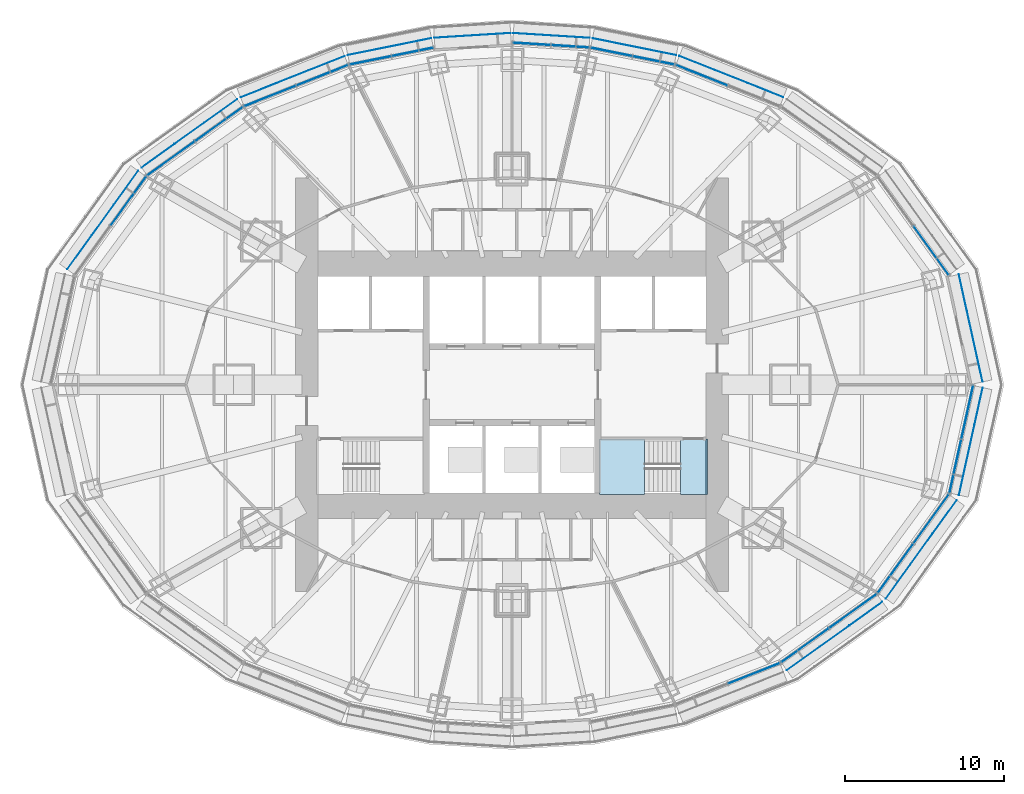
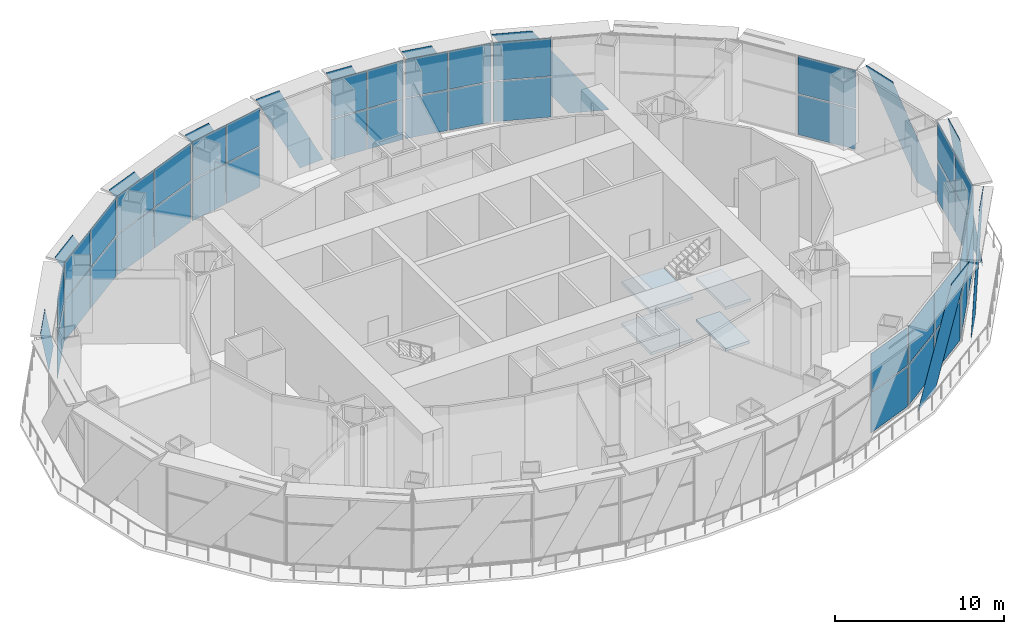
# One storey, part 9 of 21: 52 plates, 4 slabs, 13 elements without a shape of their own.
"""IFC4 building model written with IfcOpenShell, lengths in metres."""

from ifc_helpers import new_model, si_unit, direction, frame, origin, origin_2d, place, context, subcontext, project, spatial, polyline, rectangle, outline, extrude, material, layer, layer_set, type_object, element, aggregate, save


model = new_model("IFC4")

# Units and contexts
model_context = context("Model", 3, precision=1e-05, world=origin(), true_north=direction((0.0, 1.0)))
body_context = subcontext(model_context, "Body", "Model", "MODEL_VIEW")
ifc_project = project(units=[si_unit("LENGTHUNIT", "METRE"), si_unit("AREAUNIT", "SQUARE_METRE"), si_unit("VOLUMEUNIT", "CUBIC_METRE"), si_unit("PLANEANGLEUNIT", "RADIAN"), si_unit("MASSUNIT", "GRAM", prefix="KILO")], contexts=[model_context])

# Site, building, storey
site_placement = place(None, origin())
site = spatial("IfcSite", under=ifc_project, at=site_placement, CompositionType="ELEMENT")
building_placement = place(site_placement, origin())
building = spatial("IfcBuilding", under=site, at=building_placement, Name="Lantaw Convention Tower", CompositionType="ELEMENT")
storey_placement = place(building_placement, frame((0.0, 0.0, 111.39990234375)))
storey = spatial("IfcBuildingStorey", under=building, at=storey_placement, Name="L26", CompositionType="ELEMENT", Elevation=111.39990234375)

# Curtain wall, plates
ifc_material_1 = material(Name="Aluminium framed curtain wall", Category="aluminium")
curtain_wall_type = type_object("IfcCurtainWallType", Name="Sky lobby curtain wall L26, pale aluminium", PredefinedType="USERDEFINED", material=ifc_material_1)
curtain_wall_1_placement = place(storey_placement, origin())
curtain_wall_1 = element("IfcCurtainWall", 1, at=curtain_wall_1_placement, inside=storey, type_object=curtain_wall_type, Name="Sky lobby curtain wall L26, pale aluminium L26", ObjectType="STICK CURTAIN WALL", PredefinedType="USERDEFINED")
ifc_material_2 = material(Name="Clear insulating glass", Category="glass")
ifc_layer_1 = layer(ifc_material_2, 0.030029296875)
ifc_layer_set_1 = layer_set([ifc_layer_1], Name="CW-SL panel 30")
plate_type_1 = type_object("IfcPlateType", Name="CW-SL panel 30", PredefinedType="CURTAIN_PANEL", material=ifc_layer_set_1)
plate_1_placement = place(storey_placement, frame((26.3466796875, 8.4365234375, 0.0751953125), z_axis=(0.0, 0.0, 1.0), x_axis=(-0.584512597221, 0.811384633629, 0.0)))
plate_1 = element("IfcPlate", 2, at=plate_1_placement, type_object=plate_type_1, Name="CW-SL panel 1.1", PredefinedType="CURTAIN_PANEL", context=body_context, shape_type="SweptSolid", body=[
    extrude(rectangle(XDim=3.75244140625, YDim=0.030029296875, at=origin_2d()), origin(), (0.0, 0.0, 1.0), 2.887451171875),
])
plate_2_placement = place(storey_placement, frame((26.3466796875, 8.4365234375, 3.03759765625), z_axis=(0.0, 0.0, 1.0), x_axis=(-0.584512597221, 0.811384633629, 0.0)))
plate_2 = element("IfcPlate", 3, at=plate_2_placement, type_object=plate_type_1, Name="CW-SL panel 1.2", PredefinedType="CURTAIN_PANEL", context=body_context, shape_type="SweptSolid", body=[
    extrude(rectangle(XDim=3.75244140625, YDim=0.030029296875, at=origin_2d()), origin(), (0.0, 0.0, 1.0), 2.737548828125),
])
aggregate(curtain_wall_1, [plate_1, plate_2])

curtain_wall_2_placement = place(storey_placement, origin())
curtain_wall_2 = element("IfcCurtainWall", 4, at=curtain_wall_2_placement, inside=storey, type_object=curtain_wall_type, Name="Sky lobby curtain wall L26, pale aluminium L26", ObjectType="STICK CURTAIN WALL", PredefinedType="USERDEFINED")
plate_3_placement = place(storey_placement, frame((11.923828125, 19.447998046875, 0.0751953125), z_axis=(0.0, 0.0, 1.0), x_axis=(-0.929547687544, 0.368701907483, 0.0)))
plate_3 = element("IfcPlate", 5, at=plate_3_placement, type_object=plate_type_1, Name="CW-SL panel 2.1", PredefinedType="CURTAIN_PANEL", context=body_context, shape_type="SweptSolid", body=[
    extrude(rectangle(XDim=3.455810546875, YDim=0.030029296875, at=origin_2d()), origin(), (0.0, 0.0, 1.0), 2.887451171875),
])
plate_4_placement = place(storey_placement, frame((11.923828125, 19.447998046875, 3.03759765625), z_axis=(0.0, 0.0, 1.0), x_axis=(-0.929547687544, 0.368701907483, 0.0)))
plate_4 = element("IfcPlate", 6, at=plate_4_placement, type_object=plate_type_1, Name="CW-SL panel 2.2", PredefinedType="CURTAIN_PANEL", context=body_context, shape_type="SweptSolid", body=[
    extrude(rectangle(XDim=3.455810546875, YDim=0.030029296875, at=origin_2d()), origin(), (0.0, 0.0, 1.0), 2.737548828125),
])
aggregate(curtain_wall_2, [plate_3, plate_4])

curtain_wall_3_placement = place(storey_placement, origin())
curtain_wall_3 = element("IfcCurtainWall", 7, at=curtain_wall_3_placement, inside=storey, type_object=curtain_wall_type, Name="Sky lobby curtain wall L26, pale aluminium L26", ObjectType="STICK CURTAIN WALL", PredefinedType="USERDEFINED")
plate_5_placement = place(storey_placement, frame((8.890625, 20.38623046875, 0.0751953125), z_axis=(0.0, 0.0, 1.0), x_axis=(-0.980301514912, 0.197506809659, 0.0)))
plate_5 = element("IfcPlate", 8, at=plate_5_placement, type_object=plate_type_1, Name="CW-SL panel 1.1", PredefinedType="CURTAIN_PANEL", context=body_context, shape_type="SweptSolid", body=[
    extrude(rectangle(XDim=2.619140625, YDim=0.030029296875, at=origin_2d()), origin(), (0.0, 0.0, 1.0), 2.887451171875),
])
plate_6_placement = place(storey_placement, frame((8.890625, 20.38623046875, 3.03759765625), z_axis=(0.0, 0.0, 1.0), x_axis=(-0.980301514912, 0.197506809659, 0.0)))
plate_6 = element("IfcPlate", 9, at=plate_6_placement, type_object=plate_type_1, Name="CW-SL panel 1.2", PredefinedType="CURTAIN_PANEL", context=body_context, shape_type="SweptSolid", body=[
    extrude(rectangle(XDim=2.619140625, YDim=0.030029296875, at=origin_2d()), origin(), (0.0, 0.0, 1.0), 2.737548828125),
])
plate_7_placement = place(storey_placement, frame((6.249755859375, 20.91845703125, 0.0751953125), z_axis=(0.0, 0.0, 1.0), x_axis=(-0.980301514912, 0.197506809659, 0.0)))
plate_7 = element("IfcPlate", 10, at=plate_7_placement, type_object=plate_type_1, Name="CW-SL panel 2.1", PredefinedType="CURTAIN_PANEL", context=body_context, shape_type="SweptSolid", body=[
    extrude(rectangle(XDim=2.619140625, YDim=0.030029296875, at=origin_2d()), origin(), (0.0, 0.0, 1.0), 2.887451171875),
])
plate_8_placement = place(storey_placement, frame((6.249755859375, 20.91845703125, 3.03759765625), z_axis=(0.0, 0.0, 1.0), x_axis=(-0.980301514912, 0.197506809659, 0.0)))
plate_8 = element("IfcPlate", 11, at=plate_8_placement, type_object=plate_type_1, Name="CW-SL panel 2.2", PredefinedType="CURTAIN_PANEL", context=body_context, shape_type="SweptSolid", body=[
    extrude(rectangle(XDim=2.619140625, YDim=0.030029296875, at=origin_2d()), origin(), (0.0, 0.0, 1.0), 2.737548828125),
])
aggregate(curtain_wall_3, [plate_5, plate_6, plate_7, plate_8])

curtain_wall_4_placement = place(storey_placement, origin())
curtain_wall_4 = element("IfcCurtainWall", 12, at=curtain_wall_4_placement, inside=storey, type_object=curtain_wall_type, Name="Sky lobby curtain wall L26, pale aluminium L26", ObjectType="STICK CURTAIN WALL", PredefinedType="USERDEFINED")
plate_9_placement = place(storey_placement, frame((3.650634765625, 21.27001953125, 0.0751953125), z_axis=(0.0, 0.0, 1.0), x_axis=(-0.998022035978, 0.062865059466, 0.0)))
plate_9 = element("IfcPlate", 13, at=plate_9_placement, type_object=plate_type_1, Name="CW-SL panel 1.1", PredefinedType="CURTAIN_PANEL", context=body_context, shape_type="SweptSolid", body=[
    extrude(rectangle(XDim=2.338623046875, YDim=0.030029296875, at=origin_2d()), origin(), (0.0, 0.0, 1.0), 2.887451171875),
])
plate_10_placement = place(storey_placement, frame((3.650634765625, 21.27001953125, 3.03759765625), z_axis=(0.0, 0.0, 1.0), x_axis=(-0.998022035978, 0.062865059466, 0.0)))
plate_10 = element("IfcPlate", 14, at=plate_10_placement, type_object=plate_type_1, Name="CW-SL panel 1.2", PredefinedType="CURTAIN_PANEL", context=body_context, shape_type="SweptSolid", body=[
    extrude(rectangle(XDim=2.338623046875, YDim=0.030029296875, at=origin_2d()), origin(), (0.0, 0.0, 1.0), 2.737548828125),
])
plate_11_placement = place(storey_placement, frame((1.241943359375, 21.421875, 0.0751953125), z_axis=(0.0, 0.0, 1.0), x_axis=(-0.998022035978, 0.062865059466, 0.0)))
plate_11 = element("IfcPlate", 15, at=plate_11_placement, type_object=plate_type_1, Name="CW-SL panel 2.1", PredefinedType="CURTAIN_PANEL", context=body_context, shape_type="SweptSolid", body=[
    extrude(rectangle(XDim=2.338623046875, YDim=0.030029296875, at=origin_2d()), origin(), (0.0, 0.0, 1.0), 2.887451171875),
])
plate_12_placement = place(storey_placement, frame((1.241943359375, 21.421875, 3.03759765625), z_axis=(0.0, 0.0, 1.0), x_axis=(-0.998022035978, 0.062865059466, 0.0)))
plate_12 = element("IfcPlate", 16, at=plate_12_placement, type_object=plate_type_1, Name="CW-SL panel 2.2", PredefinedType="CURTAIN_PANEL", context=body_context, shape_type="SweptSolid", body=[
    extrude(rectangle(XDim=2.338623046875, YDim=0.030029296875, at=origin_2d()), origin(), (0.0, 0.0, 1.0), 2.737548828125),
])
aggregate(curtain_wall_4, [plate_9, plate_10, plate_11, plate_12])

curtain_wall_5_placement = place(storey_placement, origin())
curtain_wall_5 = element("IfcCurtainWall", 17, at=curtain_wall_5_placement, inside=storey, type_object=curtain_wall_type, Name="Sky lobby curtain wall L26, pale aluminium L26", ObjectType="STICK CURTAIN WALL", PredefinedType="USERDEFINED")
plate_13_placement = place(storey_placement, frame((-6.249755859375, 20.91845703125, 0.0751953125), z_axis=(0.0, 0.0, 1.0), x_axis=(-0.980301514912, -0.197506809659, 0.0)))
plate_13 = element("IfcPlate", 18, at=plate_13_placement, type_object=plate_type_1, Name="CW-SL panel 1.1", PredefinedType="CURTAIN_PANEL", context=body_context, shape_type="SweptSolid", body=[
    extrude(rectangle(XDim=2.619140625, YDim=0.030029296875, at=origin_2d()), origin(), (0.0, 0.0, 1.0), 2.887451171875),
])
plate_14_placement = place(storey_placement, frame((-6.249755859375, 20.91845703125, 3.03759765625), z_axis=(0.0, 0.0, 1.0), x_axis=(-0.980301514912, -0.197506809659, 0.0)))
plate_14 = element("IfcPlate", 19, at=plate_14_placement, type_object=plate_type_1, Name="CW-SL panel 1.2", PredefinedType="CURTAIN_PANEL", context=body_context, shape_type="SweptSolid", body=[
    extrude(rectangle(XDim=2.619140625, YDim=0.030029296875, at=origin_2d()), origin(), (0.0, 0.0, 1.0), 2.737548828125),
])
plate_15_placement = place(storey_placement, frame((-8.890625, 20.38623046875, 0.0751953125), z_axis=(0.0, 0.0, 1.0), x_axis=(-0.980301514912, -0.197506809659, 0.0)))
plate_15 = element("IfcPlate", 20, at=plate_15_placement, type_object=plate_type_1, Name="CW-SL panel 2.1", PredefinedType="CURTAIN_PANEL", context=body_context, shape_type="SweptSolid", body=[
    extrude(rectangle(XDim=2.619140625, YDim=0.030029296875, at=origin_2d()), origin(), (0.0, 0.0, 1.0), 2.887451171875),
])
plate_16_placement = place(storey_placement, frame((-8.890625, 20.38623046875, 3.03759765625), z_axis=(0.0, 0.0, 1.0), x_axis=(-0.980301514912, -0.197506809659, 0.0)))
plate_16 = element("IfcPlate", 21, at=plate_16_placement, type_object=plate_type_1, Name="CW-SL panel 2.2", PredefinedType="CURTAIN_PANEL", context=body_context, shape_type="SweptSolid", body=[
    extrude(rectangle(XDim=2.619140625, YDim=0.030029296875, at=origin_2d()), origin(), (0.0, 0.0, 1.0), 2.737548828125),
])
aggregate(curtain_wall_5, [plate_13, plate_14, plate_15, plate_16])

curtain_wall_6_placement = place(storey_placement, origin())
curtain_wall_6 = element("IfcCurtainWall", 22, at=curtain_wall_6_placement, inside=storey, type_object=curtain_wall_type, Name="Sky lobby curtain wall L26, pale aluminium L26", ObjectType="STICK CURTAIN WALL", PredefinedType="USERDEFINED")
plate_17_placement = place(storey_placement, frame((-11.923828125, 19.447998046875, 0.0751953125), z_axis=(0.0, 0.0, 1.0), x_axis=(-0.929547687544, -0.368701907483, 0.0)))
plate_17 = element("IfcPlate", 23, at=plate_17_placement, type_object=plate_type_1, Name="CW-SL panel 1.1", PredefinedType="CURTAIN_PANEL", context=body_context, shape_type="SweptSolid", body=[
    extrude(rectangle(XDim=3.455810546875, YDim=0.030029296875, at=origin_2d()), origin(), (0.0, 0.0, 1.0), 2.887451171875),
])
plate_18_placement = place(storey_placement, frame((-11.923828125, 19.447998046875, 3.03759765625), z_axis=(0.0, 0.0, 1.0), x_axis=(-0.929547687544, -0.368701907483, 0.0)))
plate_18 = element("IfcPlate", 24, at=plate_18_placement, type_object=plate_type_1, Name="CW-SL panel 1.2", PredefinedType="CURTAIN_PANEL", context=body_context, shape_type="SweptSolid", body=[
    extrude(rectangle(XDim=3.455810546875, YDim=0.030029296875, at=origin_2d()), origin(), (0.0, 0.0, 1.0), 2.737548828125),
])
plate_19_placement = place(storey_placement, frame((-15.205810546875, 18.146240234375, 0.0751953125), z_axis=(0.0, 0.0, 1.0), x_axis=(-0.929547687544, -0.368701907483, 0.0)))
plate_19 = element("IfcPlate", 25, at=plate_19_placement, type_object=plate_type_1, Name="CW-SL panel 2.1", PredefinedType="CURTAIN_PANEL", context=body_context, shape_type="SweptSolid", body=[
    extrude(rectangle(XDim=3.455810546875, YDim=0.030029296875, at=origin_2d()), origin(), (0.0, 0.0, 1.0), 2.887451171875),
])
plate_20_placement = place(storey_placement, frame((-15.205810546875, 18.146240234375, 3.03759765625), z_axis=(0.0, 0.0, 1.0), x_axis=(-0.929547687544, -0.368701907483, 0.0)))
plate_20 = element("IfcPlate", 26, at=plate_20_placement, type_object=plate_type_1, Name="CW-SL panel 2.2", PredefinedType="CURTAIN_PANEL", context=body_context, shape_type="SweptSolid", body=[
    extrude(rectangle(XDim=3.455810546875, YDim=0.030029296875, at=origin_2d()), origin(), (0.0, 0.0, 1.0), 2.737548828125),
])
aggregate(curtain_wall_6, [plate_17, plate_18, plate_19, plate_20])

curtain_wall_7_placement = place(storey_placement, origin())
curtain_wall_7 = element("IfcCurtainWall", 27, at=curtain_wall_7_placement, inside=storey, type_object=curtain_wall_type, Name="Sky lobby curtain wall L26, pale aluminium L26", ObjectType="STICK CURTAIN WALL", PredefinedType="USERDEFINED")
plate_21_placement = place(storey_placement, frame((-18.4189453125, 16.381591796875, 0.0751953125), z_axis=(0.0, 0.0, 1.0), x_axis=(-0.813208325995, -0.581972695693, 0.0)))
plate_21 = element("IfcPlate", 28, at=plate_21_placement, type_object=plate_type_1, Name="CW-SL panel 1.1", PredefinedType="CURTAIN_PANEL", context=body_context, shape_type="SweptSolid", body=[
    extrude(rectangle(XDim=3.63037109375, YDim=0.030029296875, at=origin_2d()), origin(), (0.0, 0.0, 1.0), 2.887451171875),
])
plate_22_placement = place(storey_placement, frame((-18.4189453125, 16.381591796875, 3.03759765625), z_axis=(0.0, 0.0, 1.0), x_axis=(-0.813208325995, -0.581972695693, 0.0)))
plate_22 = element("IfcPlate", 29, at=plate_22_placement, type_object=plate_type_1, Name="CW-SL panel 1.2", PredefinedType="CURTAIN_PANEL", context=body_context, shape_type="SweptSolid", body=[
    extrude(rectangle(XDim=3.63037109375, YDim=0.030029296875, at=origin_2d()), origin(), (0.0, 0.0, 1.0), 2.737548828125),
])
plate_23_placement = place(storey_placement, frame((-21.431884765625, 14.22509765625, 0.0751953125), z_axis=(0.0, 0.0, 1.0), x_axis=(-0.813208325995, -0.581972695693, 0.0)))
plate_23 = element("IfcPlate", 30, at=plate_23_placement, type_object=plate_type_1, Name="CW-SL panel 2.1", PredefinedType="CURTAIN_PANEL", context=body_context, shape_type="SweptSolid", body=[
    extrude(rectangle(XDim=3.63037109375, YDim=0.030029296875, at=origin_2d()), origin(), (0.0, 0.0, 1.0), 2.887451171875),
])
plate_24_placement = place(storey_placement, frame((-21.431884765625, 14.22509765625, 3.03759765625), z_axis=(0.0, 0.0, 1.0), x_axis=(-0.813208325995, -0.581972695693, 0.0)))
plate_24 = element("IfcPlate", 31, at=plate_24_placement, type_object=plate_type_1, Name="CW-SL panel 2.2", PredefinedType="CURTAIN_PANEL", context=body_context, shape_type="SweptSolid", body=[
    extrude(rectangle(XDim=3.63037109375, YDim=0.030029296875, at=origin_2d()), origin(), (0.0, 0.0, 1.0), 2.737548828125),
])
aggregate(curtain_wall_7, [plate_21, plate_22, plate_23, plate_24])

curtain_wall_8_placement = place(storey_placement, origin())
curtain_wall_8 = element("IfcCurtainWall", 32, at=curtain_wall_8_placement, inside=storey, type_object=curtain_wall_type, Name="Sky lobby curtain wall L26, pale aluminium L26", ObjectType="STICK CURTAIN WALL", PredefinedType="USERDEFINED")
plate_25_placement = place(storey_placement, frame((-24.109619140625, 11.5419921875, 0.0751953125), z_axis=(0.0, 0.0, 1.0), x_axis=(-0.584512597221, -0.811384633629, 0.0)))
plate_25 = element("IfcPlate", 33, at=plate_25_placement, type_object=plate_type_1, Name="CW-SL panel 1.1", PredefinedType="CURTAIN_PANEL", context=body_context, shape_type="SweptSolid", body=[
    extrude(rectangle(XDim=3.75244140625, YDim=0.030029296875, at=origin_2d()), origin(), (0.0, 0.0, 1.0), 2.887451171875),
])
plate_26_placement = place(storey_placement, frame((-24.109619140625, 11.5419921875, 3.03759765625), z_axis=(0.0, 0.0, 1.0), x_axis=(-0.584512597221, -0.811384633629, 0.0)))
plate_26 = element("IfcPlate", 34, at=plate_26_placement, type_object=plate_type_1, Name="CW-SL panel 1.2", PredefinedType="CURTAIN_PANEL", context=body_context, shape_type="SweptSolid", body=[
    extrude(rectangle(XDim=3.75244140625, YDim=0.030029296875, at=origin_2d()), origin(), (0.0, 0.0, 1.0), 2.737548828125),
])
aggregate(curtain_wall_8, [plate_25, plate_26])

curtain_wall_9_placement = place(storey_placement, origin())
curtain_wall_9 = element("IfcCurtainWall", 35, at=curtain_wall_9_placement, inside=storey, type_object=curtain_wall_type, Name="Sky lobby curtain wall L26, pale aluminium L26", ObjectType="STICK CURTAIN WALL", PredefinedType="USERDEFINED")
plate_27_placement = place(storey_placement, frame((15.205810546875, -18.146240234375, 0.0751953125), z_axis=(0.0, 0.0, 1.0), x_axis=(0.929547687544, 0.368701907483, 0.0)))
plate_27 = element("IfcPlate", 36, at=plate_27_placement, type_object=plate_type_1, Name="CW-SL panel 2.1", PredefinedType="CURTAIN_PANEL", context=body_context, shape_type="SweptSolid", body=[
    extrude(rectangle(XDim=3.455810546875, YDim=0.030029296875, at=origin_2d()), origin(), (0.0, 0.0, 1.0), 2.887451171875),
])
plate_28_placement = place(storey_placement, frame((15.205810546875, -18.146240234375, 3.03759765625), z_axis=(0.0, 0.0, 1.0), x_axis=(0.929547687544, 0.368701907483, 0.0)))
plate_28 = element("IfcPlate", 37, at=plate_28_placement, type_object=plate_type_1, Name="CW-SL panel 2.2", PredefinedType="CURTAIN_PANEL", context=body_context, shape_type="SweptSolid", body=[
    extrude(rectangle(XDim=3.455810546875, YDim=0.030029296875, at=origin_2d()), origin(), (0.0, 0.0, 1.0), 2.737548828125),
])
aggregate(curtain_wall_9, [plate_27, plate_28])

curtain_wall_10_placement = place(storey_placement, origin())
curtain_wall_10 = element("IfcCurtainWall", 38, at=curtain_wall_10_placement, inside=storey, type_object=curtain_wall_type, Name="Sky lobby curtain wall L26, pale aluminium L26", ObjectType="STICK CURTAIN WALL", PredefinedType="USERDEFINED")
plate_29_placement = place(storey_placement, frame((18.4189453125, -16.381591796875, 0.0751953125), z_axis=(0.0, 0.0, 1.0), x_axis=(0.813208325995, 0.581972695693, 0.0)))
plate_29 = element("IfcPlate", 39, at=plate_29_placement, type_object=plate_type_1, Name="CW-SL panel 1.1", PredefinedType="CURTAIN_PANEL", context=body_context, shape_type="SweptSolid", body=[
    extrude(rectangle(XDim=3.63037109375, YDim=0.030029296875, at=origin_2d()), origin(), (0.0, 0.0, 1.0), 2.887451171875),
])
plate_30_placement = place(storey_placement, frame((18.4189453125, -16.381591796875, 3.03759765625), z_axis=(0.0, 0.0, 1.0), x_axis=(0.813208325995, 0.581972695693, 0.0)))
plate_30 = element("IfcPlate", 40, at=plate_30_placement, type_object=plate_type_1, Name="CW-SL panel 1.2", PredefinedType="CURTAIN_PANEL", context=body_context, shape_type="SweptSolid", body=[
    extrude(rectangle(XDim=3.63037109375, YDim=0.030029296875, at=origin_2d()), origin(), (0.0, 0.0, 1.0), 2.737548828125),
])
plate_31_placement = place(storey_placement, frame((21.431884765625, -14.22509765625, 0.0751953125), z_axis=(0.0, 0.0, 1.0), x_axis=(0.813208325995, 0.581972695693, 0.0)))
plate_31 = element("IfcPlate", 41, at=plate_31_placement, type_object=plate_type_1, Name="CW-SL panel 2.1", PredefinedType="CURTAIN_PANEL", context=body_context, shape_type="SweptSolid", body=[
    extrude(rectangle(XDim=3.63037109375, YDim=0.030029296875, at=origin_2d()), origin(), (0.0, 0.0, 1.0), 2.887451171875),
])
plate_32_placement = place(storey_placement, frame((21.431884765625, -14.22509765625, 3.03759765625), z_axis=(0.0, 0.0, 1.0), x_axis=(0.813208325995, 0.581972695693, 0.0)))
plate_32 = element("IfcPlate", 42, at=plate_32_placement, type_object=plate_type_1, Name="CW-SL panel 2.2", PredefinedType="CURTAIN_PANEL", context=body_context, shape_type="SweptSolid", body=[
    extrude(rectangle(XDim=3.63037109375, YDim=0.030029296875, at=origin_2d()), origin(), (0.0, 0.0, 1.0), 2.737548828125),
])
aggregate(curtain_wall_10, [plate_29, plate_30, plate_31, plate_32])

curtain_wall_11_placement = place(storey_placement, origin())
curtain_wall_11 = element("IfcCurtainWall", 43, at=curtain_wall_11_placement, inside=storey, type_object=curtain_wall_type, Name="Sky lobby curtain wall L26, pale aluminium L26", ObjectType="STICK CURTAIN WALL", PredefinedType="USERDEFINED")
plate_33_placement = place(storey_placement, frame((24.109619140625, -11.5419921875, 0.0751953125), z_axis=(0.0, 0.0, 1.0), x_axis=(0.584512597221, 0.811384633629, 0.0)))
plate_33 = element("IfcPlate", 44, at=plate_33_placement, type_object=plate_type_1, Name="CW-SL panel 1.1", PredefinedType="CURTAIN_PANEL", context=body_context, shape_type="SweptSolid", body=[
    extrude(rectangle(XDim=3.75244140625, YDim=0.030029296875, at=origin_2d()), origin(), (0.0, 0.0, 1.0), 2.887451171875),
])
plate_34_placement = place(storey_placement, frame((24.109619140625, -11.5419921875, 3.03759765625), z_axis=(0.0, 0.0, 1.0), x_axis=(0.584512597221, 0.811384633629, 0.0)))
plate_34 = element("IfcPlate", 45, at=plate_34_placement, type_object=plate_type_1, Name="CW-SL panel 1.2", PredefinedType="CURTAIN_PANEL", context=body_context, shape_type="SweptSolid", body=[
    extrude(rectangle(XDim=3.75244140625, YDim=0.030029296875, at=origin_2d()), origin(), (0.0, 0.0, 1.0), 2.737548828125),
])
plate_35_placement = place(storey_placement, frame((26.3466796875, -8.4365234375, 0.0751953125), z_axis=(0.0, 0.0, 1.0), x_axis=(0.584512597221, 0.811384633629, 0.0)))
plate_35 = element("IfcPlate", 46, at=plate_35_placement, type_object=plate_type_1, Name="CW-SL panel 2.1", PredefinedType="CURTAIN_PANEL", context=body_context, shape_type="SweptSolid", body=[
    extrude(rectangle(XDim=3.75244140625, YDim=0.030029296875, at=origin_2d()), origin(), (0.0, 0.0, 1.0), 2.887451171875),
])
plate_36_placement = place(storey_placement, frame((26.3466796875, -8.4365234375, 3.03759765625), z_axis=(0.0, 0.0, 1.0), x_axis=(0.584512597221, 0.811384633629, 0.0)))
plate_36 = element("IfcPlate", 47, at=plate_36_placement, type_object=plate_type_1, Name="CW-SL panel 2.2", PredefinedType="CURTAIN_PANEL", context=body_context, shape_type="SweptSolid", body=[
    extrude(rectangle(XDim=3.75244140625, YDim=0.030029296875, at=origin_2d()), origin(), (0.0, 0.0, 1.0), 2.737548828125),
])
aggregate(curtain_wall_11, [plate_33, plate_34, plate_35, plate_36])

curtain_wall_12_placement = place(storey_placement, origin())
curtain_wall_12 = element("IfcCurtainWall", 48, at=curtain_wall_12_placement, inside=storey, type_object=curtain_wall_type, Name="Sky lobby curtain wall L26, pale aluminium L26", ObjectType="STICK CURTAIN WALL", PredefinedType="USERDEFINED")
plate_37_placement = place(storey_placement, frame((27.869384765625, -5.12158203125, 0.0751953125), z_axis=(0.0, 0.0, 1.0), x_axis=(0.215546166174, 0.9764936509, 0.0)))
plate_37 = element("IfcPlate", 49, at=plate_37_placement, type_object=plate_type_1, Name="CW-SL panel 1.1", PredefinedType="CURTAIN_PANEL", context=body_context, shape_type="SweptSolid", body=[
    extrude(rectangle(XDim=3.396728515625, YDim=0.030029296875, at=origin_2d()), origin(), (0.0, 0.0, 1.0), 2.887451171875),
])
plate_38_placement = place(storey_placement, frame((27.869384765625, -5.12158203125, 3.03759765625), z_axis=(0.0, 0.0, 1.0), x_axis=(0.215546166174, 0.9764936509, 0.0)))
plate_38 = element("IfcPlate", 50, at=plate_38_placement, type_object=plate_type_1, Name="CW-SL panel 1.2", PredefinedType="CURTAIN_PANEL", context=body_context, shape_type="SweptSolid", body=[
    extrude(rectangle(XDim=3.396728515625, YDim=0.030029296875, at=origin_2d()), origin(), (0.0, 0.0, 1.0), 2.737548828125),
])
plate_39_placement = place(storey_placement, frame((28.61767578125, -1.731689453125, 0.0751953125), z_axis=(0.0, 0.0, 1.0), x_axis=(0.215546166174, 0.9764936509, 0.0)))
plate_39 = element("IfcPlate", 51, at=plate_39_placement, type_object=plate_type_1, Name="CW-SL panel 2.1", PredefinedType="CURTAIN_PANEL", context=body_context, shape_type="SweptSolid", body=[
    extrude(rectangle(XDim=3.396728515625, YDim=0.030029296875, at=origin_2d()), origin(), (0.0, 0.0, 1.0), 2.887451171875),
])
plate_40_placement = place(storey_placement, frame((28.61767578125, -1.731689453125, 3.03759765625), z_axis=(0.0, 0.0, 1.0), x_axis=(0.215546166174, 0.9764936509, 0.0)))
plate_40 = element("IfcPlate", 52, at=plate_40_placement, type_object=plate_type_1, Name="CW-SL panel 2.2", PredefinedType="CURTAIN_PANEL", context=body_context, shape_type="SweptSolid", body=[
    extrude(rectangle(XDim=3.396728515625, YDim=0.030029296875, at=origin_2d()), origin(), (0.0, 0.0, 1.0), 2.737548828125),
])
aggregate(curtain_wall_12, [plate_37, plate_38, plate_39, plate_40])

# Plates
ifc_material_3 = material(Name="Perforated aluminium sheet, pale silver finish", Category="aluminium")
ifc_layer_2 = layer(ifc_material_3, 0.006103515625)
ifc_layer_set_2 = layer_set([ifc_layer_2], Name="Perforated aluminium solar SCREEN panel")
plate_type_2 = type_object("IfcPlateType", Name="Perforated aluminium solar SCREEN panel", PredefinedType="SHEET", material=ifc_layer_set_2)
plate_41_placement = place(storey_placement, frame((29.5810546875, 0.179443359375, -0.199951171875), z_axis=(0.976497812737, 0.215527309569, 2.3461789e-05), x_axis=(-0.215527309629, 0.976497813005, 1.172e-09)))
element("IfcPlate", 53, at=plate_41_placement, inside=storey, type_object=plate_type_2, Name="Solar SCREEN panel", PredefinedType="SHEET", context=body_context, shape_type="SweptSolid", body=[
    extrude(outline(polyline([(0.0, 0.0), (2.386184367360998, -1.6940658945086007e-21), (6.918240190546627, 6.1650390560884105), (4.532108442157706, 6.165039061681704), (0.0, 0.0)])), origin(), (0.0, 0.0, -1.0), 0.006103515625),
])
plate_42_placement = place(storey_placement, frame((17.05859375, 18.063232421875, -0.199951171875), z_axis=(-0.368708915378, -0.929544907824, 7.650228e-06), x_axis=(-0.929544907851, 0.368708915389, 5e-10)))
element("IfcPlate", 54, at=plate_42_placement, inside=storey, type_object=plate_type_2, Name="Solar SCREEN panel", PredefinedType="SHEET", context=body_context, shape_type="SweptSolid", body=[
    extrude(outline(polyline([(0.0, 0.0), (2.4263803793049097, -8.470329472543003e-22), (7.0365496295669825, -6.165039059164441), (4.61003232741235, -6.165039061589298), (0.0, 0.0)])), origin(), (0.0, 0.0, -1.0), 0.006103515625),
])
plate_43_placement = place(storey_placement, frame((10.318603515625, 20.716796875, -0.199951171875), z_axis=(0.197556725519, 0.980291456369, 2.7795745e-05), x_axis=(-0.980291456747, 0.197556725596, 0.0)))
element("IfcPlate", 55, at=plate_43_placement, inside=storey, type_object=plate_type_2, Name="Solar SCREEN panel", PredefinedType="SHEET", context=body_context, shape_type="SweptSolid", body=[
    extrude(outline(polyline([(0.0, 0.0), (1.8574075788555457, 1.6940658945086007e-21), (5.362987026845185, 6.165039064881565), (3.505579447989639, 6.165039064881565), (0.0, 0.0)])), origin(), (0.0, 0.0, -1.0), 0.006103515625),
])
plate_44_placement = place(storey_placement, frame((4.880615234375, 21.7998046875, -0.199951171875), z_axis=(0.062838799866, 0.998023689714, 1.235533e-06), x_axis=(-0.998023689715, 0.062838799866, -6e-12)))
element("IfcPlate", 56, at=plate_44_placement, inside=storey, type_object=plate_type_2, Name="Solar SCREEN panel", PredefinedType="SHEET", context=body_context, shape_type="SweptSolid", body=[
    extrude(outline(polyline([(0.0, 0.0), (1.6666243269452135, 2.6469779601696886e-23), (4.802214797186689, 6.1650390625320135), (3.135346812114104, 6.165039062513057), (0.0, 0.0)])), origin(), (0.0, 0.0, -1.0), 0.006103515625),
])
plate_45_placement = place(storey_placement, frame((-0.087890625, 22.1015625, -0.199951171875), z_axis=(0.062838799866, -0.998023689714, 1.235533e-06), x_axis=(-0.998023689715, -0.062838799866, 6e-12)))
element("IfcPlate", 57, at=plate_45_placement, inside=storey, type_object=plate_type_2, Name="Solar SCREEN panel", PredefinedType="SHEET", context=body_context, shape_type="SweptSolid", body=[
    extrude(outline(polyline([(0.0, 0.0), (1.6668679850725854, -2.6469779601696886e-23), (4.802214797256801, -6.165039062477401), (3.1355904703115876, -6.165039062496355), (0.0, 0.0)])), origin(), (0.0, 0.0, -1.0), 0.006103515625),
])
plate_46_placement = place(storey_placement, frame((-5.061279296875, 21.776123046875, -0.199951171875), z_axis=(0.197556725519, -0.980291456369, 2.7795745e-05), x_axis=(-0.980291456747, -0.197556725596, 0.0)))
element("IfcPlate", 58, at=plate_46_placement, inside=storey, type_object=plate_type_2, Name="Solar SCREEN panel", PredefinedType="SHEET", context=body_context, shape_type="SweptSolid", body=[
    extrude(outline(polyline([(0.0, 0.0), (1.8574075788555457, -1.6940658945086007e-21), (5.362987026845185, -6.165039064881565), (3.505579447989639, -6.165039064881565), (0.0, 0.0)])), origin(), (0.0, 0.0, -1.0), 0.006103515625),
])
plate_47_placement = place(storey_placement, frame((-10.517822265625, 20.65771484375, -0.199951171875), z_axis=(-0.368708915378, 0.929544907824, 7.650228e-06), x_axis=(-0.929544907851, -0.368708915389, -5e-10)))
element("IfcPlate", 59, at=plate_47_placement, inside=storey, type_object=plate_type_2, Name="Solar SCREEN panel", PredefinedType="SHEET", context=body_context, shape_type="SweptSolid", body=[
    extrude(outline(polyline([(0.0, 0.0), (2.426517302154632, 0.0), (7.0365496234061595, 6.165039066196178), (4.610169244101249, 6.165039063771457), (0.0, 0.0)])), origin(), (0.0, 0.0, -1.0), 0.006103515625),
])
plate_48_placement = place(storey_placement, frame((-17.275146484375, 17.9453125, -0.199951171875), z_axis=(0.582000183956, -0.813188653271, 8.121964e-06), x_axis=(-0.813188653298, -0.582000183975, 0.0)))
element("IfcPlate", 60, at=plate_48_placement, inside=storey, type_object=plate_type_2, Name="Solar SCREEN panel", PredefinedType="SHEET", context=body_context, shape_type="SweptSolid", body=[
    extrude(outline(polyline([(0.0, 0.0), (2.5450183911586484, -1.6940658945086007e-21), (7.385531276904658, -6.165039062703343), (4.840512885746009, -6.165039062703343), (0.0, 0.0)])), origin(), (0.0, 0.0, -1.0), 0.006103515625),
])
plate_49_placement = place(storey_placement, frame((-23.489990234375, 13.438720703125, -0.199951171875), z_axis=(0.811395121853, -0.584498037289, 2.5263716e-05), x_axis=(-0.584498037475, -0.811395122112, 6.86e-10)))
element("IfcPlate", 61, at=plate_49_placement, inside=storey, type_object=plate_type_2, Name="Solar SCREEN panel", PredefinedType="SHEET", context=body_context, shape_type="SweptSolid", body=[
    extrude(outline(polyline([(0.0, 0.0), (2.628024084063188, -6.776263578034403e-21), (7.62977826642615, -6.165039059234168), (5.001556087850728, -6.165039062839429), (0.0, 0.0)])), origin(), (0.0, 0.0, -1.0), 0.006103515625),
])
plate_50_placement = place(storey_placement, frame((17.275146484375, -17.9453125, -0.199951171875), z_axis=(-0.582000183956, 0.813188653271, 8.121964e-06), x_axis=(0.813188653298, 0.582000183975, 0.0)))
element("IfcPlate", 62, at=plate_50_placement, inside=storey, type_object=plate_type_2, Name="Solar SCREEN panel", PredefinedType="SHEET", context=body_context, shape_type="SweptSolid", body=[
    extrude(outline(polyline([(0.0, 0.0), (2.5450183911586484, -1.6940658945086007e-21), (7.385531276904658, -6.165039062703343), (4.840512885746009, -6.165039062703343), (0.0, 0.0)])), origin(), (0.0, 0.0, -1.0), 0.006103515625),
])
plate_51_placement = place(storey_placement, frame((23.489990234375, -13.438720703125, -0.199951171875), z_axis=(-0.811395121853, 0.584498037289, 2.5263716e-05), x_axis=(0.584498037475, 0.811395122112, 6.86e-10)))
element("IfcPlate", 63, at=plate_51_placement, inside=storey, type_object=plate_type_2, Name="Solar SCREEN panel", PredefinedType="SHEET", context=body_context, shape_type="SweptSolid", body=[
    extrude(outline(polyline([(0.0, 0.0), (2.628024084063188, -6.776263578034403e-21), (7.62977826642615, -6.165039059234168), (5.001556087850728, -6.165039062839429), (0.0, 0.0)])), origin(), (0.0, 0.0, -1.0), 0.006103515625),
])
plate_52_placement = place(storey_placement, frame((28.08984375, -6.93505859375, -0.199951171875), z_axis=(-0.976497812737, 0.215527309569, 2.3461789e-05), x_axis=(0.215527309629, 0.976497813005, -1.172e-09)))
element("IfcPlate", 64, at=plate_52_placement, inside=storey, type_object=plate_type_2, Name="Solar SCREEN panel", PredefinedType="SHEET", context=body_context, shape_type="SweptSolid", body=[
    extrude(outline(polyline([(0.0, 0.0), (2.386131748388921, 1.6940658945086007e-21), (6.918240176095254, -6.165039072305349), (4.532055808734257, -6.165039066711932), (0.0, 0.0)])), origin(), (0.0, 0.0, -1.0), 0.006103515625),
])

# Stair, slabs
ifc_material_4 = material(Name="Concrete C35/45", Category="concrete")
stair_type = type_object("IfcStairType", Name="Exit stair 1500 riser 166.67 in 4 flights", PredefinedType="HALF_TURN_STAIR", material=ifc_material_4)
stair_placement = place(storey_placement, origin())
stair = element("IfcStair", 65, at=stair_placement, inside=storey, type_object=stair_type, Name="Exit stair S2 L26", PredefinedType="HALF_TURN_STAIR")
ifc_layer_3 = layer(ifc_material_4, 0.199951171875)
ifc_layer_set_3 = layer_set([ifc_layer_3], Name="Stair landing 200")
slab_type = type_object("IfcSlabType", Name="Stair landing 200", PredefinedType="LANDING", material=ifc_layer_set_3)
slab_1_placement = place(storey_placement, frame((0.0, 0.0, -0.199951171875)))
slab_1 = element("IfcSlab", 66, at=slab_1_placement, type_object=slab_type, Name="S2 landing 1", PredefinedType="LANDING", context=body_context, shape_type="SweptSolid", body=[
    extrude(outline(polyline([(10.580078125, -6.89990234375), (12.199951171875, -6.89990234375), (12.199951171875, -3.39990234375), (10.580078125, -3.39990234375), (10.580078125, -6.89990234375)])), origin(), (0.0, 0.0, 1.0), 0.199951171875),
])
slab_2_placement = place(storey_placement, frame((0.0, 0.0, 1.300048828125)))
slab_2 = element("IfcSlab", 67, at=slab_2_placement, type_object=slab_type, Name="S2 landing 2", PredefinedType="LANDING", context=body_context, shape_type="SweptSolid", body=[
    extrude(outline(polyline([(5.5, -6.89990234375), (8.340087890625, -6.89990234375), (8.340087890625, -3.39990234375), (5.5, -3.39990234375), (5.5, -6.89990234375)])), origin(), (0.0, 0.0, 1.0), 0.199951171875),
])
slab_3_placement = place(storey_placement, frame((0.0, 0.0, 2.800048828125)))
slab_3 = element("IfcSlab", 68, at=slab_3_placement, type_object=slab_type, Name="S2 landing 3", PredefinedType="LANDING", context=body_context, shape_type="SweptSolid", body=[
    extrude(outline(polyline([(10.580078125, -6.89990234375), (12.300048828125, -6.89990234375), (12.300048828125, -3.39990234375), (10.580078125, -3.39990234375), (10.580078125, -6.89990234375)])), origin(), (0.0, 0.0, 1.0), 0.199951171875),
])
slab_4_placement = place(storey_placement, frame((0.0, 0.0, 4.300048828125)))
slab_4 = element("IfcSlab", 69, at=slab_4_placement, type_object=slab_type, Name="S2 landing 4", PredefinedType="LANDING", context=body_context, shape_type="SweptSolid", body=[
    extrude(outline(polyline([(5.5, -6.89990234375), (8.340087890625, -6.89990234375), (8.340087890625, -3.39990234375), (5.5, -3.39990234375), (5.5, -6.89990234375)])), origin(), (0.0, 0.0, 1.0), 0.199951171875),
])
aggregate(stair, [slab_1, slab_2, slab_3, slab_4])

save(model, "model.ifc")
